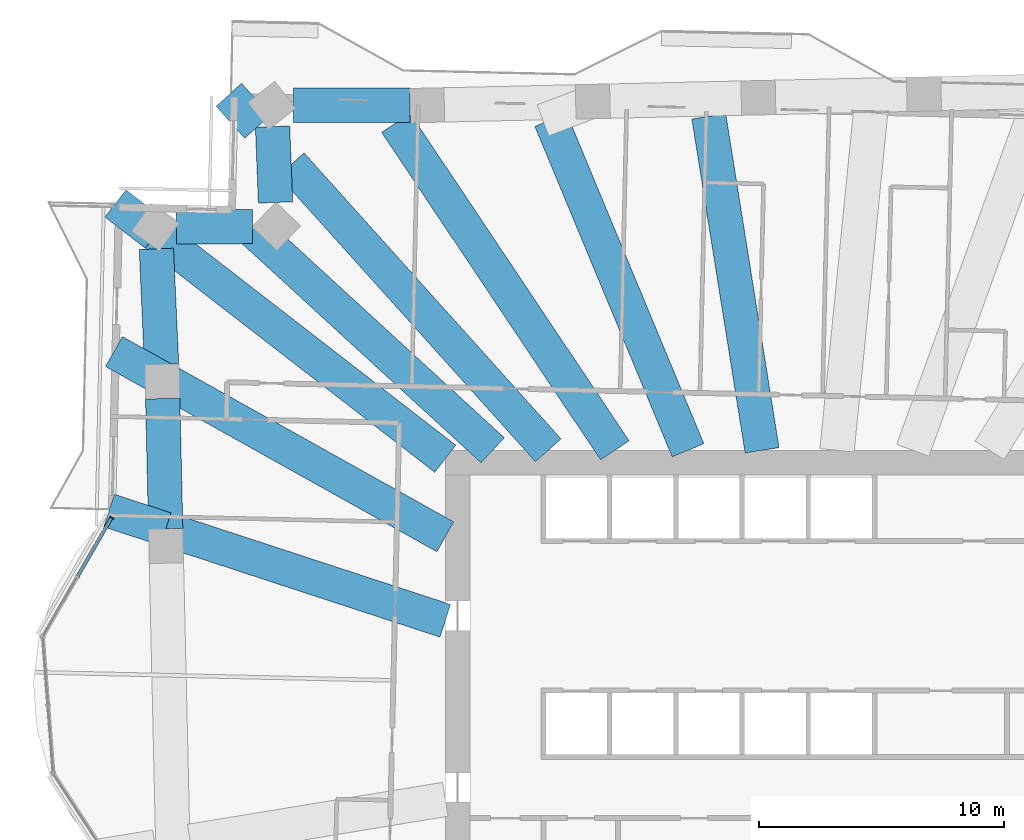
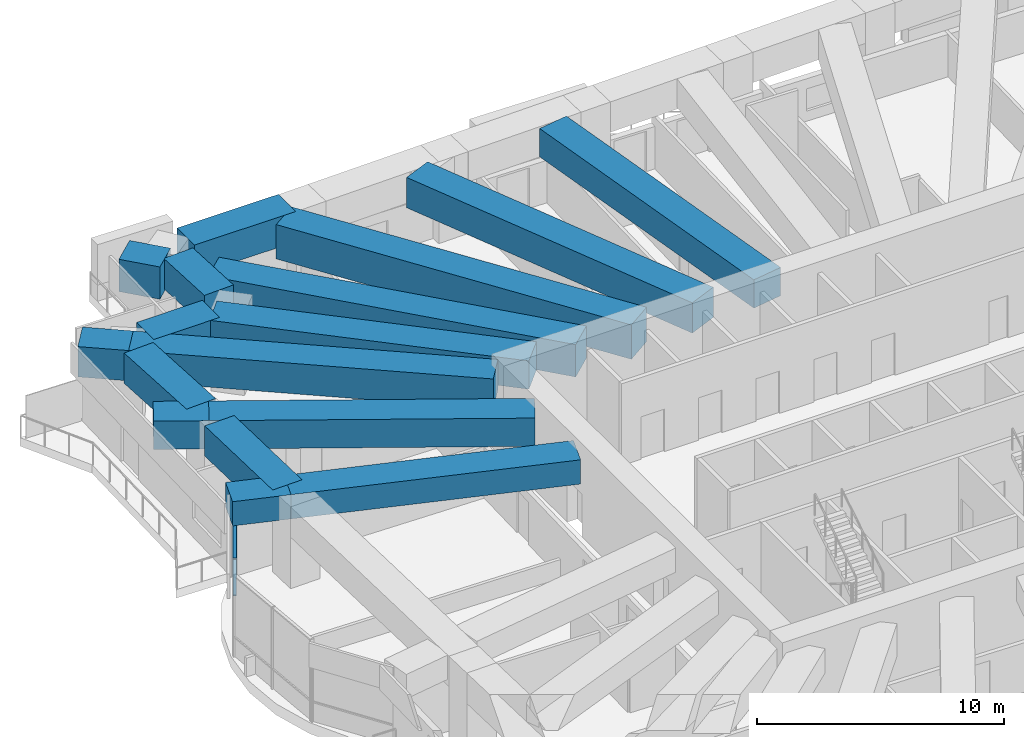
# One storey, part 5 of 20: 17 beams, 3 members, 1 element without a shape of its own.
"""IFC4 building model written with IfcOpenShell, lengths in metres."""

from ifc_helpers import new_model, si_unit, direction, frame, origin, origin_2d, place, context, subcontext, project, spatial, rectangle, extrude, material, material_profile, profile_set, type_object, element, aggregate, save


model = new_model("IFC4")

# Units and contexts
model_context = context("Model", 3, precision=1e-05, world=origin(), true_north=direction((0.0, 1.0)))
body_context = subcontext(model_context, "Body", "Model", "MODEL_VIEW")
ifc_project = project(units=[si_unit("LENGTHUNIT", "METRE"), si_unit("AREAUNIT", "SQUARE_METRE"), si_unit("VOLUMEUNIT", "CUBIC_METRE"), si_unit("PLANEANGLEUNIT", "RADIAN"), si_unit("MASSUNIT", "GRAM", prefix="KILO")], contexts=[model_context])

# Site, building, storey
site_placement = place(None, origin())
site = spatial("IfcSite", under=ifc_project, at=site_placement, CompositionType="ELEMENT")
building_placement = place(site_placement, origin())
building = spatial("IfcBuilding", under=site, at=building_placement, Name="Mangrove Gate Tower", CompositionType="ELEMENT")
storey_placement = place(building_placement, frame((0.0, 0.0, 97.300048828125)))
storey = spatial("IfcBuildingStorey", under=building, at=storey_placement, Name="L24", CompositionType="ELEMENT", Elevation=97.300048828125)

# Curtain wall, members
ifc_material_1 = material(Name="Aluminium and glass curtain wall", Category="aluminium")
curtain_wall_type = type_object("IfcCurtainWallType", Name="Sky-lounge glazing wall", PredefinedType="NOTDEFINED", material=ifc_material_1)
curtain_wall_placement = place(storey_placement, origin())
curtain_wall = element("IfcCurtainWall", 1, at=curtain_wall_placement, inside=storey, type_object=curtain_wall_type, Name="Sky-lounge glazing W9f1", PredefinedType="NOTDEFINED")
ifc_material_2 = material(Name="Aluminium alloy 6063-T6", Category="aluminium")
ifc_material_profile_1 = material_profile(ifc_material_2, rectangle(XDim=0.06005859375, YDim=0.179931640625, at=origin_2d()))
ifc_profile_set_1 = profile_set([ifc_material_profile_1], Name="Aluminium alloy 6063-T6")
member_type_1 = type_object("IfcMemberType", Name="Sky-lounge glazing mullion 60x180", PredefinedType="MULLION", material=ifc_profile_set_1)
member_1_placement = place(storey_placement, frame((-28.4072265625, 9.054443359375, 0.0), z_axis=(0.0, 0.0, 1.0), x_axis=(-0.500418160284, -0.865783844189, 0.0)))
member_1 = element("IfcMember", 2, at=member_1_placement, type_object=member_type_1, Name="CWK mullion 1", PredefinedType="MULLION", context=body_context, shape_type="SweptSolid", body=[
    extrude(rectangle(XDim=0.06005859375, YDim=0.179931640625, at=origin_2d()), origin(), (0.0, 0.0, 1.0), 2.849853515625),
])
ifc_material_3 = material(Name="Aluminium alloy 6063-T6", Category="aluminium")
ifc_material_profile_2 = material_profile(ifc_material_3, rectangle(XDim=0.06005859375, YDim=0.139892578125, at=origin_2d()))
ifc_profile_set_2 = profile_set([ifc_material_profile_2], Name="Aluminium alloy 6063-T6")
member_type_2 = type_object("IfcMemberType", Name="Sky-lounge glazing transom 60x140", PredefinedType="USERDEFINED", material=ifc_profile_set_2)
member_2_placement = place(storey_placement, frame((-28.42236328125, 9.028564453125, 1.0), z_axis=(-0.500359513284, -0.865817739173, 0.0), x_axis=(0.0, 0.0, 1.0)))
member_2 = element("IfcMember", 3, at=member_2_placement, type_object=member_type_2, Name="CWK transom 1.2", ObjectType="TRANSOM", PredefinedType="USERDEFINED", context=body_context, shape_type="SweptSolid", body=[
    extrude(rectangle(XDim=0.06005859375, YDim=0.139892578125, at=origin_2d()), origin(), (0.0, 0.0, 1.0), 2.73095703125),
])
member_3_placement = place(storey_placement, frame((-28.42236328125, 9.028564453125, 2.820068359375), z_axis=(-0.500359513284, -0.865817739173, 0.0), x_axis=(0.0, 0.0, 1.0)))
member_3 = element("IfcMember", 4, at=member_3_placement, type_object=member_type_2, Name="CWK transom 1.3", ObjectType="TRANSOM", PredefinedType="USERDEFINED", context=body_context, shape_type="SweptSolid", body=[
    extrude(rectangle(XDim=0.06005859375, YDim=0.139892578125, at=origin_2d()), origin(), (0.0, 0.0, 1.0), 2.73095703125),
])
aggregate(curtain_wall, [member_1, member_2, member_3])

# Beams
ifc_material_4 = material(Name="Concrete C70/85", Category="concrete")
ifc_material_profile_3 = material_profile(ifc_material_4, rectangle(XDim=1.39990234375, YDim=1.199951171875, at=origin_2d()))
ifc_profile_set_3 = profile_set([ifc_material_profile_3], Name="Concrete C70/85")
beam_type_1 = type_object("IfcBeamType", Name="Transfer girder RC 1400x1200 C70/85", PredefinedType="BEAM", material=ifc_profile_set_3)
beam_1_placement = place(storey_placement, frame((-14.800048828125, 4.84912109375, 3.449951171875), z_axis=(-0.950286708584, 0.311376253893, 0.0), x_axis=(-0.311376253893, -0.950286708584, 0.0)))
element("IfcBeam", 5, at=beam_1_placement, inside=storey, type_object=beam_type_1, Name="Transfer girder L24 31", PredefinedType="BEAM", context=body_context, shape_type="SweptSolid", body=[
    extrude(rectangle(XDim=1.39990234375, YDim=1.199951171875, at=origin_2d()), origin(), (0.0, 0.0, 1.0), 11.9970703125),
])
beam_2_placement = place(storey_placement, frame((-26.20068359375, 8.584716796875, 3.449951171875), z_axis=(-0.950300815405, 0.311333198101, 0.0), x_axis=(-0.311333198101, -0.950300815405, 0.0)))
element("IfcBeam", 6, at=beam_2_placement, inside=storey, type_object=beam_type_1, Name="Transfer cantilever girder L24 31", PredefinedType="BEAM", context=body_context, shape_type="SweptSolid", body=[
    extrude(rectangle(XDim=1.39990234375, YDim=1.199951171875, at=origin_2d()), origin(), (0.0, 0.0, 1.0), 2.42626953125),
])
ifc_material_5 = material(Name="Concrete C70/85", Category="concrete")
ifc_material_profile_4 = material_profile(ifc_material_5, rectangle(XDim=1.39990234375, YDim=1.39990234375, at=origin_2d()))
ifc_profile_set_4 = profile_set([ifc_material_profile_4], Name="Concrete C70/85")
beam_type_2 = type_object("IfcBeamType", Name="Transfer girder RC 1400x1400 C70/85", PredefinedType="BEAM", material=ifc_profile_set_4)
beam_3_placement = place(storey_placement, frame((-1.88330078125, 11.800048828125, 3.349853515625), z_axis=(-0.157620992958, 0.987499682318, 0.0), x_axis=(-0.987499682318, -0.157620992958, 0.0)))
element("IfcBeam", 7, at=beam_3_placement, inside=storey, type_object=beam_type_2, Name="Transfer girder L24 24", PredefinedType="BEAM", context=body_context, shape_type="SweptSolid", body=[
    extrude(rectangle(XDim=1.39990234375, YDim=1.39990234375, at=origin_2d()), origin(), (0.0, 0.0, 1.0), 13.786865234375),
])
beam_4_placement = place(storey_placement, frame((-12.866455078125, 11.800048828125, 3.349853515625), z_axis=(-0.736996132764, 0.675896959818, 0.0), x_axis=(-0.675896959818, -0.736996132764, 0.0)))
element("IfcBeam", 8, at=beam_4_placement, inside=storey, type_object=beam_type_2, Name="Transfer girder L24 28", PredefinedType="BEAM", context=body_context, shape_type="SweptSolid", body=[
    extrude(rectangle(XDim=1.39990234375, YDim=1.39990234375, at=origin_2d()), origin(), (0.0, 0.0, 1.0), 13.278076171875),
])
beam_5_placement = place(storey_placement, frame((-14.800048828125, 8.2734375, 3.349853515625), z_axis=(-0.872873176581, 0.487947146323, 0.0), x_axis=(-0.487947146323, -0.872873176581, 0.0)))
element("IfcBeam", 9, at=beam_5_placement, inside=storey, type_object=beam_type_2, Name="Transfer girder L24 30", PredefinedType="BEAM", context=body_context, shape_type="SweptSolid", body=[
    extrude(rectangle(XDim=1.39990234375, YDim=1.39990234375, at=origin_2d()), origin(), (0.0, 0.0, 1.0), 13.2236328125),
])
beam_6_placement = place(storey_placement, frame((-26.342529296875, 14.725830078125, 3.349853515625), z_axis=(-0.87285520585, 0.487979292204, 0.0), x_axis=(-0.487979292204, -0.87285520585, 0.0)))
element("IfcBeam", 10, at=beam_6_placement, inside=storey, type_object=beam_type_2, Name="Transfer cantilever girder L24 30", PredefinedType="BEAM", context=body_context, shape_type="SweptSolid", body=[
    extrude(rectangle(XDim=1.39990234375, YDim=1.39990234375, at=origin_2d()), origin(), (0.0, 0.0, 1.0), 2.251953125),
])
ifc_material_6 = material(Name="Concrete C70/85", Category="concrete")
ifc_material_profile_5 = material_profile(ifc_material_6, rectangle(XDim=1.39990234375, YDim=1.5, at=origin_2d()))
ifc_profile_set_5 = profile_set([ifc_material_profile_5], Name="Concrete C70/85")
beam_type_3 = type_object("IfcBeamType", Name="Transfer girder RC 1400x1500 C70/85", PredefinedType="BEAM", material=ifc_profile_set_5)
beam_7_placement = place(storey_placement, frame((-16.2373046875, 25.866455078125, 3.300048828125), z_axis=(-0.999999523555, -0.000976160653, 0.0), x_axis=(0.000976160653, -0.999999523555, 0.0)))
element("IfcBeam", 11, at=beam_7_placement, inside=storey, type_object=beam_type_3, Name="Transfer ring girder L24 26", PredefinedType="BEAM", context=body_context, shape_type="SweptSolid", body=[
    extrude(rectangle(XDim=1.39990234375, YDim=1.5, at=origin_2d()), origin(), (0.0, 0.0, 1.0), 4.751953125),
])
beam_8_placement = place(storey_placement, frame((-21.841552734375, 25.000732421875, 3.300048828125), z_axis=(0.038460362943, -0.999260126535, 0.0), x_axis=(0.999260126535, 0.038460362943, 0.0)))
element("IfcBeam", 12, at=beam_8_placement, inside=storey, type_object=beam_type_3, Name="Transfer ring girder L24 27", PredefinedType="BEAM", context=body_context, shape_type="SweptSolid", body=[
    extrude(rectangle(XDim=1.39990234375, YDim=1.5, at=origin_2d()), origin(), (0.0, 0.0, 1.0), 3.09765625),
])
beam_9_placement = place(storey_placement, frame((-22.65966796875, 20.924560546875, 3.300048828125), z_axis=(-0.999975368239, -0.007018754556, 0.0), x_axis=(0.007018754556, -0.999975368239, 0.0)))
element("IfcBeam", 13, at=beam_9_placement, inside=storey, type_object=beam_type_3, Name="Transfer ring girder L24 28", PredefinedType="BEAM", context=body_context, shape_type="SweptSolid", body=[
    extrude(rectangle(XDim=1.39990234375, YDim=1.5, at=origin_2d()), origin(), (0.0, 0.0, 1.0), 3.095703125),
])
beam_10_placement = place(storey_placement, frame((-26.57861328125, 20.010009765625, 3.300048828125), z_axis=(0.044645566694, -0.999002889573, 0.0), x_axis=(0.999002889573, 0.044645566694, 0.0)))
element("IfcBeam", 14, at=beam_10_placement, inside=storey, type_object=beam_type_3, Name="Transfer ring girder L24 29", PredefinedType="BEAM", context=body_context, shape_type="SweptSolid", body=[
    extrude(rectangle(XDim=1.39990234375, YDim=1.5, at=origin_2d()), origin(), (0.0, 0.0, 1.0), 4.708251953125),
])
beam_11_placement = place(storey_placement, frame((-26.3212890625, 13.906982421875, 3.300048828125), z_axis=(0.022659804799, -0.999743233659, 0.0), x_axis=(0.999743233659, 0.022659804799, 0.0)))
element("IfcBeam", 15, at=beam_11_placement, inside=storey, type_object=beam_type_3, Name="Transfer ring girder L24 30", PredefinedType="BEAM", context=body_context, shape_type="SweptSolid", body=[
    extrude(rectangle(XDim=1.39990234375, YDim=1.5, at=origin_2d()), origin(), (0.0, 0.0, 1.0), 5.311767578125),
])
beam_12_placement = place(storey_placement, frame((-4.9033203125, 11.800048828125, 3.300048828125), z_axis=(-0.383734765205, 0.923443355043, 0.0), x_axis=(-0.923443355043, -0.383734765205, 0.0)))
element("IfcBeam", 16, at=beam_12_placement, inside=storey, type_object=beam_type_3, Name="Transfer girder L24 25", PredefinedType="BEAM", context=body_context, shape_type="SweptSolid", body=[
    extrude(rectangle(XDim=1.39990234375, YDim=1.5, at=origin_2d()), origin(), (0.0, 0.0, 1.0), 14.58984375),
])
beam_13_placement = place(storey_placement, frame((-14.800048828125, 11.456298828125, 3.300048828125), z_axis=(-0.79077758854, 0.612103590467, 0.0), x_axis=(-0.612103590467, -0.79077758854, 0.0)))
element("IfcBeam", 17, at=beam_13_placement, inside=storey, type_object=beam_type_3, Name="Transfer girder L24 29", PredefinedType="BEAM", context=body_context, shape_type="SweptSolid", body=[
    extrude(rectangle(XDim=1.39990234375, YDim=1.5, at=origin_2d()), origin(), (0.0, 0.0, 1.0), 14.927978515625),
])
beam_14_placement = place(storey_placement, frame((-26.604736328125, 20.59375, 3.300048828125), z_axis=(-0.790742053924, 0.61214949494, 0.0), x_axis=(-0.61214949494, -0.790742053924, 0.0)))
element("IfcBeam", 18, at=beam_14_placement, inside=storey, type_object=beam_type_3, Name="Transfer cantilever girder L24 29", PredefinedType="BEAM", context=body_context, shape_type="SweptSolid", body=[
    extrude(rectangle(XDim=1.39990234375, YDim=1.5, at=origin_2d()), origin(), (0.0, 0.0, 1.0), 2.077880859375),
])
ifc_material_7 = material(Name="Concrete C70/85", Category="concrete")
ifc_material_profile_6 = material_profile(ifc_material_7, rectangle(XDim=1.39990234375, YDim=1.60009765625, at=origin_2d()))
ifc_profile_set_6 = profile_set([ifc_material_profile_6], Name="Concrete C70/85")
beam_type_4 = type_object("IfcBeamType", Name="Transfer girder RC 1400x1600 C70/85", PredefinedType="BEAM", material=ifc_profile_set_6)
beam_15_placement = place(storey_placement, frame((-10.602783203125, 11.800048828125, 3.25), z_axis=(-0.668373300354, 0.743826008805, 0.0), x_axis=(-0.743826008805, -0.668373300354, 0.0)))
element("IfcBeam", 19, at=beam_15_placement, inside=storey, type_object=beam_type_4, Name="Transfer girder L24 27", PredefinedType="BEAM", context=body_context, shape_type="SweptSolid", body=[
    extrude(rectangle(XDim=1.39990234375, YDim=1.60009765625, at=origin_2d()), origin(), (0.0, 0.0, 1.0), 15.673583984375),
])
beam_16_placement = place(storey_placement, frame((-22.455322265625, 24.99072265625, 3.25), z_axis=(-0.668402453858, 0.74379981156, 0.0), x_axis=(-0.74379981156, -0.668402453858, 0.0)))
element("IfcBeam", 20, at=beam_16_placement, inside=storey, type_object=beam_type_4, Name="Transfer cantilever girder L24 27", PredefinedType="BEAM", context=body_context, shape_type="SweptSolid", body=[
    extrude(rectangle(XDim=1.39990234375, YDim=1.60009765625, at=origin_2d()), origin(), (0.0, 0.0, 1.0), 1.751708984375),
])
ifc_material_8 = material(Name="Concrete C70/85", Category="concrete")
ifc_material_profile_7 = material_profile(ifc_material_8, rectangle(XDim=1.39990234375, YDim=1.699951171875, at=origin_2d()))
ifc_profile_set_7 = profile_set([ifc_material_profile_7], Name="Concrete C70/85")
beam_type_5 = type_object("IfcBeamType", Name="Transfer girder RC 1400x1700 C70/85", PredefinedType="BEAM", material=ifc_profile_set_7)
beam_17_placement = place(storey_placement, frame((-7.887939453125, 11.800048828125, 3.199951171875), z_axis=(-0.555748768233, 0.831350291158, 0.0), x_axis=(-0.831350291158, -0.555748768233, 0.0)))
element("IfcBeam", 21, at=beam_17_placement, inside=storey, type_object=beam_type_5, Name="Transfer girder L24 26", PredefinedType="BEAM", context=body_context, shape_type="SweptSolid", body=[
    extrude(rectangle(XDim=1.39990234375, YDim=1.699951171875, at=origin_2d()), origin(), (0.0, 0.0, 1.0), 16.05859375),
])

save(model, "model.ifc")
